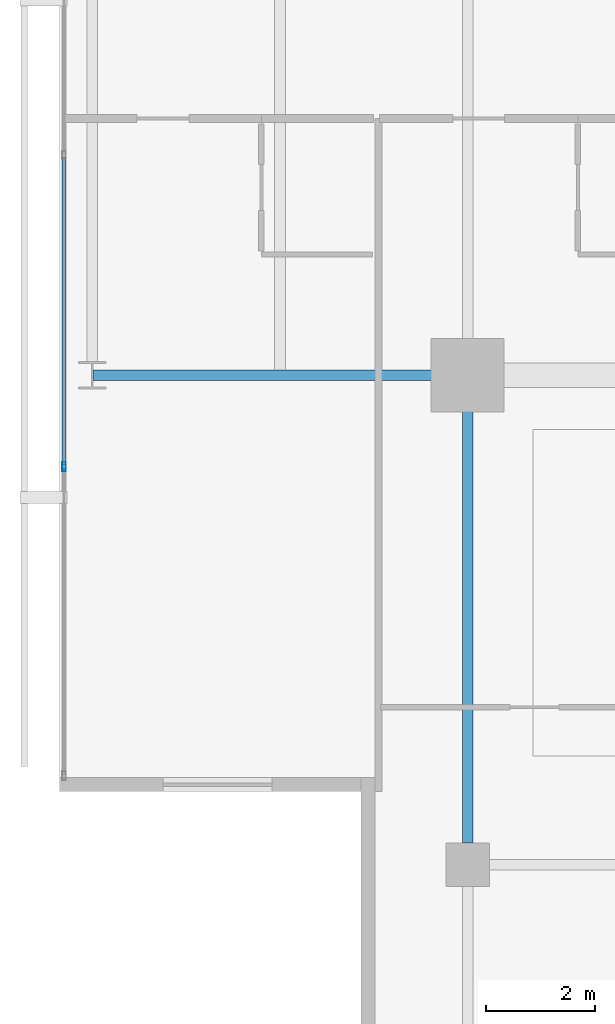
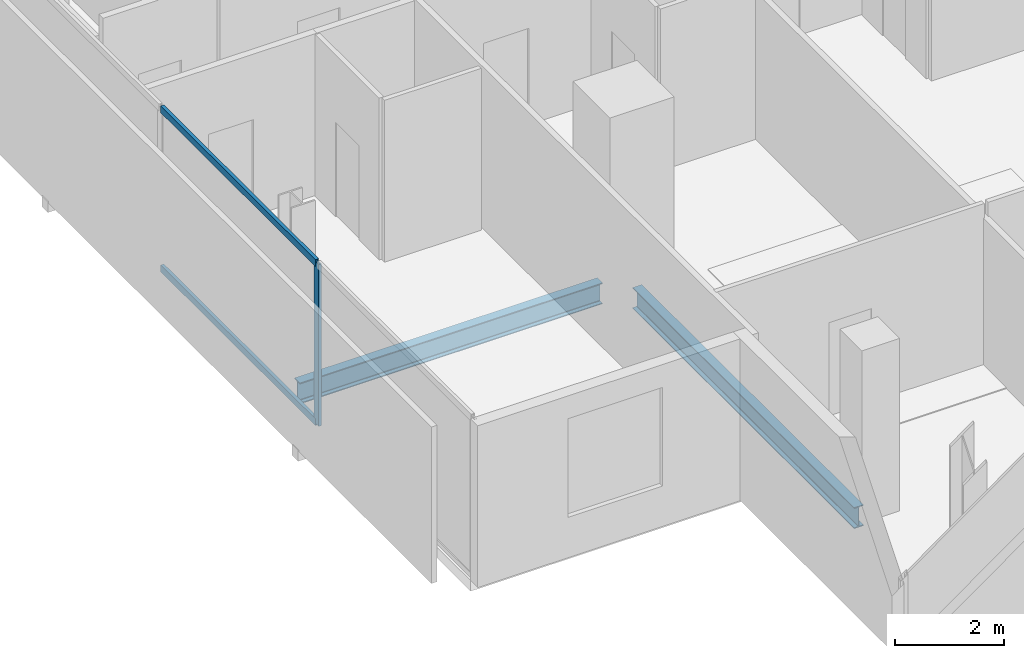
# One storey, part 4 of 24: 3 members, 2 beams, 1 element without a shape of its own.
"""IFC4 building model written with IfcOpenShell, lengths in metres."""

from ifc_helpers import new_model, si_unit, direction, frame, origin, origin_2d, place, context, subcontext, project, spatial, hollow_rectangle, i_section, extrude, material, layer, layer_set, material_profile, profile_set, type_object, element, aggregate, save


model = new_model("IFC4")

# Units and contexts
model_context = context("Model", 3, precision=1e-05, world=origin(), true_north=direction((0.0, 1.0)))
body_context = subcontext(model_context, "Body", "Model", "MODEL_VIEW")
ifc_project = project(units=[si_unit("LENGTHUNIT", "METRE"), si_unit("AREAUNIT", "SQUARE_METRE"), si_unit("VOLUMEUNIT", "CUBIC_METRE"), si_unit("PLANEANGLEUNIT", "RADIAN"), si_unit("MASSUNIT", "GRAM", prefix="KILO")], contexts=[model_context])

# Site, building, storey
site_placement = place(None, origin())
site = spatial("IfcSite", under=ifc_project, at=site_placement, CompositionType="ELEMENT")
building_placement = place(site_placement, origin())
building = spatial("IfcBuilding", under=site, at=building_placement, Name="Maruvema Waterfront Hotel and Observation Tower", CompositionType="ELEMENT")
storey_placement = place(building_placement, frame((0.0, 0.0, 325.85009765625)))
storey = spatial("IfcBuildingStorey", under=building, at=storey_placement, Name="L80", CompositionType="ELEMENT", Elevation=325.85009765625)

# Curtain wall, members
ifc_material_1 = material(Name="Anodised bronze aluminium and solar-control low-E IGU", Category="aluminium")
ifc_layer = layer(ifc_material_1, 0.159912109375, Name="Zone 4 Sky Residence Inner Curtain Wall System CW-05")
ifc_layer_set = layer_set([ifc_layer], Name="Anodised bronze aluminium and solar-control low-E IGU")
curtain_wall_type = type_object("IfcCurtainWallType", Name="Zone 4 Sky Residence Inner Curtain Wall System CW-05", PredefinedType="USERDEFINED", material=ifc_layer_set)
curtain_wall_placement = place(storey_placement, origin())
curtain_wall = element("IfcCurtainWall", 1, at=curtain_wall_placement, inside=storey, type_object=curtain_wall_type, Name="L80 Curtain Wall CW-L80-W", ObjectType="UNITISED CURTAIN WALL", PredefinedType="USERDEFINED")
ifc_material_2 = material(Name="Anodised architectural bronze aluminium", Category="aluminium")
ifc_material_profile_1 = material_profile(ifc_material_2, hollow_rectangle(XDim=0.070068359375, YDim=0.14990234375, WallThickness=0.00390625, at=origin_2d()), Name="ALU-T70x150")
ifc_profile_set_1 = profile_set([ifc_material_profile_1], Name="Anodised architectural bronze aluminium")
member_type_1 = type_object("IfcMemberType", Name="Curtain Wall Horizontal Transom ALU-T70x150", PredefinedType="USERDEFINED", material=ifc_profile_set_1)
member_1_placement = place(storey_placement, frame((17.780029296875, 31.010009765625, 0.02978515625), z_axis=(0.0, -1.0, 0.0), x_axis=(1.0, 0.0, 0.0)))
member_1 = element("IfcMember", 2, at=member_1_placement, type_object=member_type_1, Name="CW-05 transom 4.1", ObjectType="TRANSOM", PredefinedType="USERDEFINED", context=body_context, shape_type="SweptSolid", body=[
    extrude(hollow_rectangle(XDim=0.070068359375, YDim=0.14990234375, WallThickness=0.00390625, at=origin_2d()), origin(), (0.0, 0.0, 1.0), 5.659912109375),
])
member_2_placement = place(storey_placement, frame((17.780029296875, 31.010009765625, 3.579833984375), z_axis=(0.0, -1.0, 0.0), x_axis=(1.0, 0.0, 0.0)))
member_2 = element("IfcMember", 3, at=member_2_placement, type_object=member_type_1, Name="CW-05 transom 4.2", ObjectType="TRANSOM", PredefinedType="USERDEFINED", context=body_context, shape_type="SweptSolid", body=[
    extrude(hollow_rectangle(XDim=0.070068359375, YDim=0.14990234375, WallThickness=0.00390625, at=origin_2d()), origin(), (0.0, 0.0, 1.0), 5.659912109375),
])
ifc_material_3 = material(Name="Anodised architectural bronze aluminium", Category="aluminium")
ifc_material_profile_2 = material_profile(ifc_material_3, hollow_rectangle(XDim=0.06494140625, YDim=0.1650390625, WallThickness=0.00390625, at=origin_2d()), Name="ALU-M65x165")
ifc_profile_set_2 = profile_set([ifc_material_profile_2], Name="Anodised architectural bronze aluminium")
member_type_2 = type_object("IfcMemberType", Name="Curtain Wall Primary Mullion ALU-M65x165", PredefinedType="MULLION", material=ifc_profile_set_2)
member_3_placement = place(storey_placement, frame((17.780029296875, 25.320068359375, 0.0), z_axis=(0.0, 0.0, 1.0), x_axis=(1.0, 0.0, 0.0)))
member_3 = element("IfcMember", 4, at=member_3_placement, type_object=member_type_2, Name="CW-05 mullion 5", PredefinedType="MULLION", context=body_context, shape_type="SweptSolid", body=[
    extrude(hollow_rectangle(XDim=0.06494140625, YDim=0.1650390625, WallThickness=0.00390625, at=origin_2d()), origin(), (0.0, 0.0, 1.0), 3.60986328125),
])
aggregate(curtain_wall, [member_3, member_1, member_2])

# Beams
ifc_material_4 = material(Name="Steel ASTM A572 Grade 50", Category="steel")
ifc_material_profile_3 = material_profile(ifc_material_4, i_section(OverallWidth=0.194091796875, OverallDepth=0.468994140625, WebThickness=0.0126953125, FlangeThickness=0.0205078125, FilletRadius=0.014892578125, at=origin_2d()), Name="W460x106.0")
ifc_profile_set_3 = profile_set([ifc_material_profile_3], Name="Steel ASTM A572 Grade 50")
beam_type = type_object("IfcBeamType", Name="Primary Floor Girder W460x106.0", PredefinedType="BEAM", material=ifc_profile_set_3)
beam_1_placement = place(storey_placement, frame((18.31103515625, 27.0, -0.474609375), z_axis=(1.0, 0.0, 0.0), x_axis=(0.0, 1.0, 0.0)))
element("IfcBeam", 5, at=beam_1_placement, inside=storey, type_object=beam_type, Name="L80 Floor Girder EW-07", PredefinedType="BEAM", context=body_context, shape_type="SweptSolid", body=[
    extrude(i_section(OverallWidth=0.194091796875, OverallDepth=0.468994140625, WebThickness=0.0126953125, FlangeThickness=0.0205078125, FilletRadius=0.014892578125, at=origin_2d()), origin(), (0.0, 0.0, 1.0), 6.388916015625),
])
beam_2_placement = place(storey_placement, frame((25.199951171875, 18.39990234375, -0.474609375), z_axis=(0.0, 1.0, 0.0), x_axis=(-1.0, 0.0, 0.0)))
element("IfcBeam", 6, at=beam_2_placement, inside=storey, type_object=beam_type, Name="L80 Floor Girder NS-04", PredefinedType="BEAM", context=body_context, shape_type="SweptSolid", body=[
    extrude(i_section(OverallWidth=0.194091796875, OverallDepth=0.468994140625, WebThickness=0.0126953125, FlangeThickness=0.0205078125, FilletRadius=0.014892578125, at=origin_2d()), origin(), (0.0, 0.0, 1.0), 8.10009765625),
])

save(model, "model.ifc")
